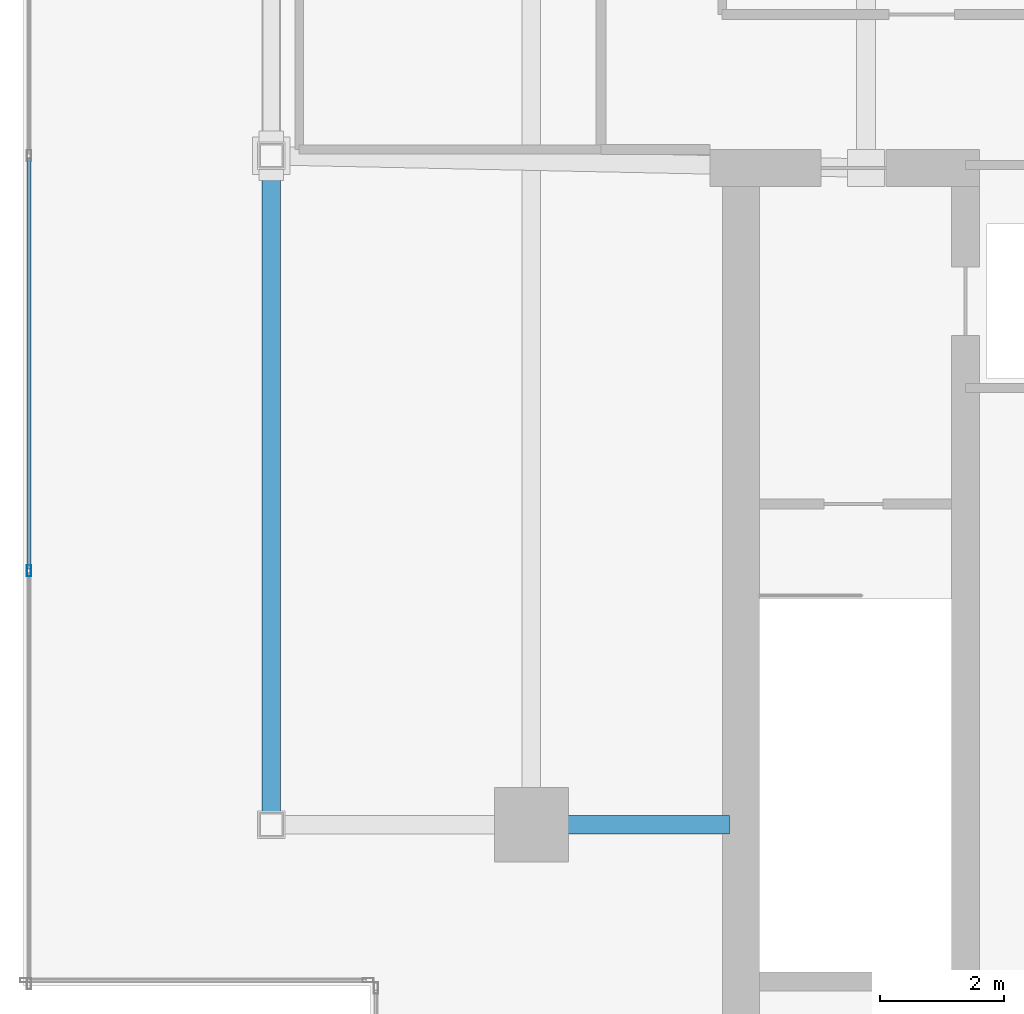
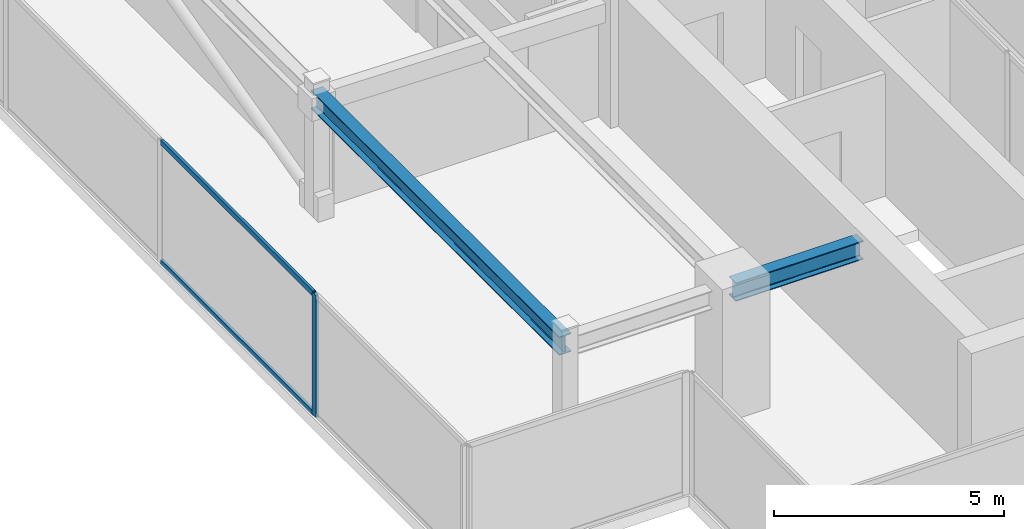
# One storey, part 4 of 16: 3 members, 2 beams, 1 element without a shape of its own.
"""IFC4 building model written with IfcOpenShell, lengths in metres."""

from ifc_helpers import new_model, si_unit, direction, frame, origin, origin_2d, place, context, subcontext, project, spatial, hollow_rectangle, i_section, extrude, source, transform, mapped, material, material_profile, profile_set, type_object, type_shapes, element, aggregate, save


model = new_model("IFC4")

# Units and contexts
model_context = context("Model", 3, precision=1e-05, world=origin(), true_north=direction((0.0, 1.0)))
body_context = subcontext(model_context, "Body", "Model", "MODEL_VIEW")
ifc_project = project(units=[si_unit("LENGTHUNIT", "METRE"), si_unit("AREAUNIT", "SQUARE_METRE"), si_unit("VOLUMEUNIT", "CUBIC_METRE"), si_unit("PLANEANGLEUNIT", "RADIAN"), si_unit("MASSUNIT", "GRAM", prefix="KILO")], contexts=[model_context])

# Site, building, storey
site_placement = place(None, origin())
site = spatial("IfcSite", under=ifc_project, at=site_placement, CompositionType="ELEMENT")
building_placement = place(site_placement, origin())
building = spatial("IfcBuilding", under=site, at=building_placement, Name="Krantzveldt Concourse Tower", CompositionType="ELEMENT")
storey_placement = place(building_placement, frame((0.0, 0.0, 385.449951171875)))
storey = spatial("IfcBuildingStorey", under=building, at=storey_placement, Name="L95", CompositionType="ELEMENT", Elevation=385.449951171875)

# Beams
ifc_material_1 = material(Name="Steel S355JR", Category="steel")
ifc_material_profile_1 = material_profile(ifc_material_1, i_section(OverallWidth=0.300048828125, OverallDepth=0.489990234375, WebThickness=0.011962890625, FlangeThickness=0.02294921875, FilletRadius=0.027099609375, at=origin_2d()), Name="Steel S355JR", Category="steel")
ifc_profile_set_1 = profile_set([ifc_material_profile_1], Name="Steel S355JR - HEA 500")
beam_type = type_object("IfcBeamType", Name="BM-B-HEA500", PredefinedType="BEAM", material=ifc_profile_set_1)
shared_shape_1 = source(origin(), body_context, "Body", "SweptSolid", [
    extrude(i_section(OverallWidth=0.300048828125, OverallDepth=0.489990234375, WebThickness=0.011962890625, FlangeThickness=0.02294921875, FilletRadius=0.027099609375, at=origin_2d()), origin(), (0.0, 0.0, 1.0), 10.800048828125),
])
beam_1_placement = place(storey_placement, frame((21.0, 15.89990234375, 3.005126953125), z_axis=(0.0, 1.0, 0.0), x_axis=(-1.0, 0.0, 0.0)))
element("IfcBeam", 1, at=beam_1_placement, inside=storey, type_object=beam_type, Name="L95 Crown Girder WEST-1", PredefinedType="BEAM", context=body_context, shape_type="MappedRepresentation", body=[
    mapped(shared_shape_1, transform((0.0, 0.0, 0.0), x_axis=(1.0, 0.0, 0.0), y_axis=(0.0, 1.0, 0.0), z_axis=(0.0, 0.0, 1.0), scale=1.0)),
])
shared_shape_2 = source(origin(), body_context, "Body", "SweptSolid", [
    extrude(i_section(OverallWidth=0.300048828125, OverallDepth=0.489990234375, WebThickness=0.011962890625, FlangeThickness=0.02294921875, FilletRadius=0.027099609375, at=origin_2d()), origin(), (0.0, 0.0, 1.0), 3.199951171875),
])
type_shapes(beam_type, [shared_shape_1, shared_shape_2])
beam_2_placement = place(storey_placement, frame((25.199951171875, 15.89990234375, 3.005126953125), z_axis=(1.0, 0.0, 0.0), x_axis=(0.0, 1.0, 0.0)))
element("IfcBeam", 2, at=beam_2_placement, inside=storey, type_object=beam_type, Name="L95 Crown Girder WEST-7", PredefinedType="BEAM", context=body_context, shape_type="MappedRepresentation", body=[
    mapped(shared_shape_2, transform((0.0, 0.0, 0.0), x_axis=(1.0, 0.0, 0.0), y_axis=(0.0, 1.0, 0.0), z_axis=(0.0, 0.0, 1.0), scale=1.0)),
])

# Curtain wall, members
ifc_material_2 = material(Name="Anodised aluminium 6063-T6", Category="aluminium")
curtain_wall_type = type_object("IfcCurtainWallType", Name="CW7", PredefinedType="USERDEFINED", material=ifc_material_2)
curtain_wall_placement = place(storey_placement, origin())
curtain_wall = element("IfcCurtainWall", 3, at=curtain_wall_placement, inside=storey, type_object=curtain_wall_type, Name="CW-L95-WEST-05", ObjectType="UNITISED CURTAIN WALL", PredefinedType="USERDEFINED")
ifc_material_profile_2 = material_profile(ifc_material_2, hollow_rectangle(XDim=0.070068359375, YDim=0.139892578125, WallThickness=0.0048828125, at=origin_2d()), Name="Anodised aluminium 6063-T6", Category="aluminium")
ifc_profile_set_2 = profile_set([ifc_material_profile_2], Name="Anodised aluminium 6063-T6 - ALU-TRAN 140x70x5")
member_type_1 = type_object("IfcMemberType", Name="CW-TRN-150", PredefinedType="USERDEFINED", material=ifc_profile_set_2)
shared_shape_3 = source(origin(), body_context, "Body", "SweptSolid", [
    extrude(hollow_rectangle(XDim=0.070068359375, YDim=0.139892578125, WallThickness=0.0048828125, at=origin_2d()), origin(), (0.0, 0.0, 1.0), 6.630126953125),
])
type_shapes(member_type_1, [shared_shape_3])
member_1_placement = place(storey_placement, frame((17.090087890625, 26.6650390625, 0.03515625), z_axis=(0.0, -1.0, 0.0), x_axis=(1.0, 0.0, 0.0)))
member_1 = element("IfcMember", 4, at=member_1_placement, type_object=member_type_1, Name="CW-CRN transom 3.1", ObjectType="TRANSOM", PredefinedType="USERDEFINED", context=body_context, shape_type="MappedRepresentation", body=[
    mapped(shared_shape_3, transform((0.0, 0.0, 0.0), x_axis=(1.0, 0.0, 0.0), y_axis=(0.0, 1.0, 0.0), z_axis=(0.0, 0.0, 1.0), scale=1.0)),
])
member_2_placement = place(storey_placement, frame((17.090087890625, 26.6650390625, 3.215087890625), z_axis=(0.0, -1.0, 0.0), x_axis=(1.0, 0.0, 0.0)))
member_2 = element("IfcMember", 5, at=member_2_placement, type_object=member_type_1, Name="CW-CRN transom 3.2", ObjectType="TRANSOM", PredefinedType="USERDEFINED", context=body_context, shape_type="MappedRepresentation", body=[
    mapped(shared_shape_3, transform((0.0, 0.0, 0.0), x_axis=(1.0, 0.0, 0.0), y_axis=(0.0, 1.0, 0.0), z_axis=(0.0, 0.0, 1.0), scale=1.0)),
])
ifc_material_profile_3 = material_profile(ifc_material_2, hollow_rectangle(XDim=0.070068359375, YDim=0.179931640625, WallThickness=0.0048828125, at=origin_2d()), Name="Anodised aluminium 6063-T6", Category="aluminium")
ifc_profile_set_3 = profile_set([ifc_material_profile_3], Name="Anodised aluminium 6063-T6 - ALU-MULL 180x70x5")
member_type_2 = type_object("IfcMemberType", Name="CW-MUL-180", PredefinedType="MULLION", material=ifc_profile_set_3)
shared_shape_4 = source(origin(), body_context, "Body", "SweptSolid", [
    extrude(hollow_rectangle(XDim=0.070068359375, YDim=0.179931640625, WallThickness=0.0048828125, at=origin_2d()), origin(), (0.0, 0.0, 1.0), 3.25),
])
type_shapes(member_type_2, [shared_shape_4])
member_3_placement = place(storey_placement, frame((17.090087890625, 20.0, 0.0), z_axis=(0.0, 0.0, 1.0), x_axis=(1.0, 0.0, 0.0)))
member_3 = element("IfcMember", 6, at=member_3_placement, type_object=member_type_2, Name="CW-CRN mullion 4", PredefinedType="MULLION", context=body_context, shape_type="MappedRepresentation", body=[
    mapped(shared_shape_4, transform((0.0, 0.0, 0.0), x_axis=(1.0, 0.0, 0.0), y_axis=(0.0, 1.0, 0.0), z_axis=(0.0, 0.0, 1.0), scale=1.0)),
])
aggregate(curtain_wall, [member_3, member_1, member_2])

save(model, "model.ifc")
